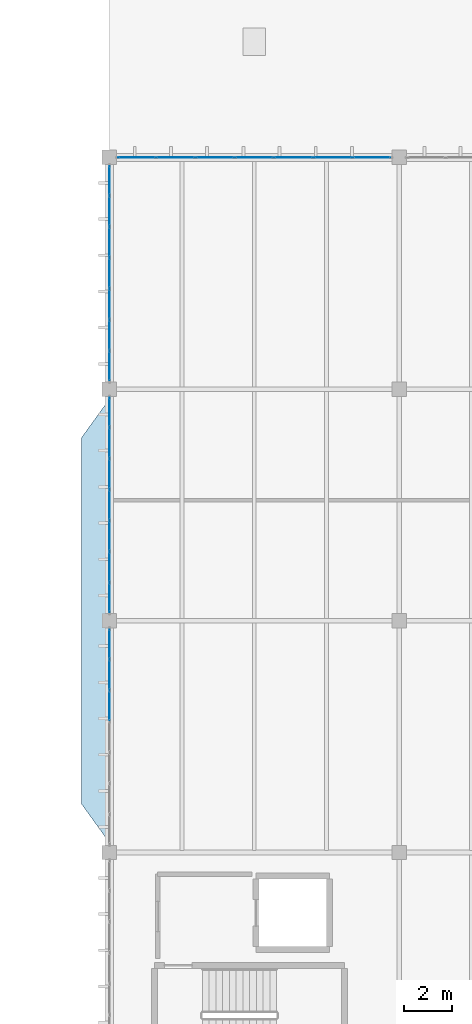
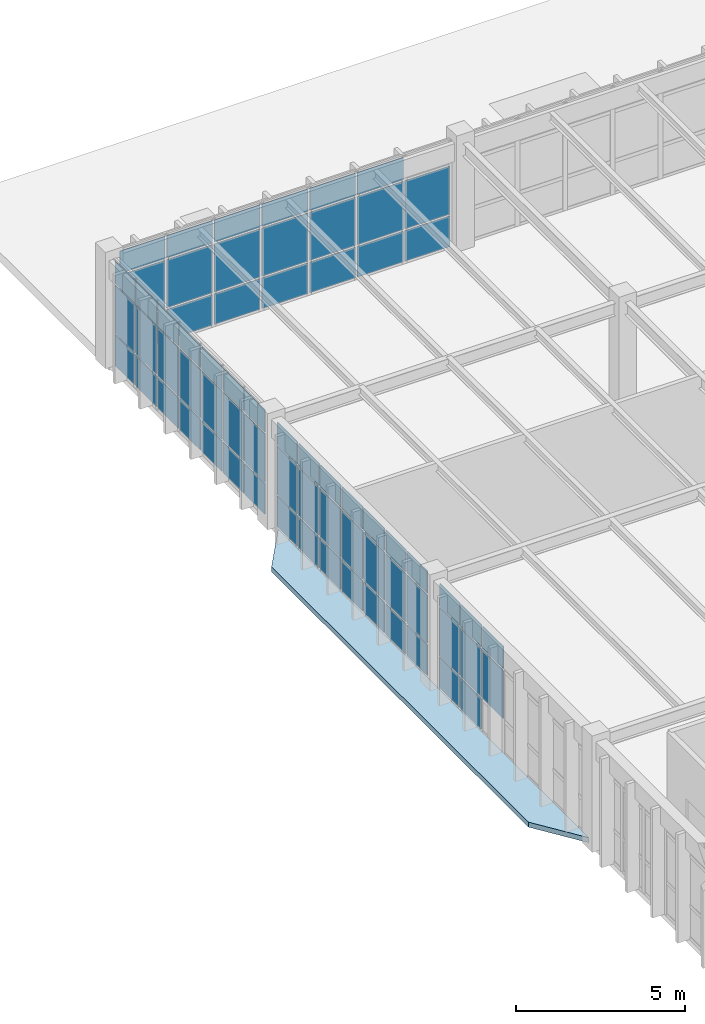
# One storey, part 66 of 83: 70 plates, 1 slab, 4 elements without a shape of their own.
"""IFC4 building model written with IfcOpenShell, lengths in metres."""

from ifc_helpers import new_model, si_unit, direction, frame, origin, origin_2d, place, context, subcontext, project, spatial, polyline, rectangle, outline, extrude, material, layer, layer_set, type_object, element, aggregate, save


model = new_model("IFC4")

# Units and contexts
model_context = context("Model", 3, precision=1e-05, world=origin(), true_north=direction((0.0, 1.0)))
body_context = subcontext(model_context, "Body", "Model", "MODEL_VIEW")
ifc_project = project(units=[si_unit("LENGTHUNIT", "METRE"), si_unit("AREAUNIT", "SQUARE_METRE"), si_unit("VOLUMEUNIT", "CUBIC_METRE"), si_unit("PLANEANGLEUNIT", "RADIAN"), si_unit("MASSUNIT", "GRAM", prefix="KILO")], contexts=[model_context])

# Site, building, storey
site_placement = place(None, origin())
site = spatial("IfcSite", under=ifc_project, at=site_placement, CompositionType="ELEMENT")
building_placement = place(site_placement, origin())
building = spatial("IfcBuilding", under=site, at=building_placement, Name="Pandanus Reach Market Hall", CompositionType="ELEMENT")
storey_placement = place(building_placement, frame((0.0, 0.0, 10.199951171875)))
storey = spatial("IfcBuildingStorey", under=building, at=storey_placement, Name="L02", CompositionType="ELEMENT", Elevation=10.199951171875)

# Curtain wall, plates
ifc_material_1 = material(Name="Bronze anodised aluminium and low-E glass", Category="aluminium")
ifc_layer_1 = layer(ifc_material_1, 0.159912109375, Name="CW-31")
ifc_layer_set_1 = layer_set([ifc_layer_1], Name="Bronze anodised aluminium and low-E glass")
curtain_wall_type_1 = type_object("IfcCurtainWallType", Name="CW-31", PredefinedType="NOTDEFINED", material=ifc_layer_set_1)
curtain_wall_1_placement = place(storey_placement, origin())
curtain_wall_1 = element("IfcCurtainWall", 1, at=curtain_wall_1_placement, inside=storey, type_object=curtain_wall_type_1, Name="Glazed curtain wall CW-31 CW-0102", PredefinedType="NOTDEFINED")
ifc_material_2 = material(Name="Solar-control double glazing", Category="glass")
ifc_layer_2 = layer(ifc_material_2, 0.028076171875, Name="CW-P1")
ifc_layer_set_2 = layer_set([ifc_layer_2], Name="Solar-control double glazing")
plate_type = type_object("IfcPlateType", Name="CW-P1", PredefinedType="CURTAIN_PANEL", material=ifc_layer_set_2)
plate_1_placement = place(storey_placement, frame((145.130615234375, 86.39990234375, 0.06494140625), z_axis=(0.0, 0.0, 1.0), x_axis=(1.0, 0.0, 0.0)))
plate_1 = element("IfcPlate", 2, at=plate_1_placement, type_object=plate_type, Name="CW-31 panel 1.1", PredefinedType="CURTAIN_PANEL", context=body_context, shape_type="SweptSolid", body=[
    extrude(rectangle(XDim=1.531005859375, YDim=0.028076171875, at=origin_2d()), origin(), (0.0, 0.0, 1.0), 1.1025390625),
])
plate_2_placement = place(storey_placement, frame((145.130615234375, 86.39990234375, 1.232421875), z_axis=(0.0, 0.0, 1.0), x_axis=(1.0, 0.0, 0.0)))
plate_2 = element("IfcPlate", 3, at=plate_2_placement, type_object=plate_type, Name="CW-31 panel 1.2", PredefinedType="CURTAIN_PANEL", context=body_context, shape_type="SweptSolid", body=[
    extrude(rectangle(XDim=1.531005859375, YDim=0.028076171875, at=origin_2d()), origin(), (0.0, 0.0, 1.0), 1.735107421875),
])
plate_3_placement = place(storey_placement, frame((145.130615234375, 86.39990234375, 3.03271484375), z_axis=(0.0, 0.0, 1.0), x_axis=(1.0, 0.0, 0.0)))
plate_3 = element("IfcPlate", 4, at=plate_3_placement, type_object=plate_type, Name="CW-31 panel 1.3", PredefinedType="CURTAIN_PANEL", context=body_context, shape_type="SweptSolid", body=[
    extrude(rectangle(XDim=1.531005859375, YDim=0.028076171875, at=origin_2d()), origin(), (0.0, 0.0, 1.0), 0.802490234375),
])
plate_4_placement = place(storey_placement, frame((146.742919921875, 86.39990234375, 0.06494140625), z_axis=(0.0, 0.0, 1.0), x_axis=(1.0, 0.0, 0.0)))
plate_4 = element("IfcPlate", 5, at=plate_4_placement, type_object=plate_type, Name="CW-31 panel 2.1", PredefinedType="CURTAIN_PANEL", context=body_context, shape_type="SweptSolid", body=[
    extrude(rectangle(XDim=1.5634765625, YDim=0.028076171875, at=origin_2d()), origin(), (0.0, 0.0, 1.0), 1.1025390625),
])
plate_5_placement = place(storey_placement, frame((146.742919921875, 86.39990234375, 1.232421875), z_axis=(0.0, 0.0, 1.0), x_axis=(1.0, 0.0, 0.0)))
plate_5 = element("IfcPlate", 6, at=plate_5_placement, type_object=plate_type, Name="CW-31 panel 2.2", PredefinedType="CURTAIN_PANEL", context=body_context, shape_type="SweptSolid", body=[
    extrude(rectangle(XDim=1.5634765625, YDim=0.028076171875, at=origin_2d()), origin(), (0.0, 0.0, 1.0), 1.735107421875),
])
plate_6_placement = place(storey_placement, frame((146.742919921875, 86.39990234375, 3.03271484375), z_axis=(0.0, 0.0, 1.0), x_axis=(1.0, 0.0, 0.0)))
plate_6 = element("IfcPlate", 7, at=plate_6_placement, type_object=plate_type, Name="CW-31 panel 2.3", PredefinedType="CURTAIN_PANEL", context=body_context, shape_type="SweptSolid", body=[
    extrude(rectangle(XDim=1.5634765625, YDim=0.028076171875, at=origin_2d()), origin(), (0.0, 0.0, 1.0), 0.802490234375),
])
plate_7_placement = place(storey_placement, frame((148.371337890625, 86.39990234375, 0.06494140625), z_axis=(0.0, 0.0, 1.0), x_axis=(1.0, 0.0, 0.0)))
plate_7 = element("IfcPlate", 8, at=plate_7_placement, type_object=plate_type, Name="CW-31 panel 3.1", PredefinedType="CURTAIN_PANEL", context=body_context, shape_type="SweptSolid", body=[
    extrude(rectangle(XDim=1.5634765625, YDim=0.028076171875, at=origin_2d()), origin(), (0.0, 0.0, 1.0), 1.1025390625),
])
plate_8_placement = place(storey_placement, frame((148.371337890625, 86.39990234375, 1.232421875), z_axis=(0.0, 0.0, 1.0), x_axis=(1.0, 0.0, 0.0)))
plate_8 = element("IfcPlate", 9, at=plate_8_placement, type_object=plate_type, Name="CW-31 panel 3.2", PredefinedType="CURTAIN_PANEL", context=body_context, shape_type="SweptSolid", body=[
    extrude(rectangle(XDim=1.5634765625, YDim=0.028076171875, at=origin_2d()), origin(), (0.0, 0.0, 1.0), 1.735107421875),
])
plate_9_placement = place(storey_placement, frame((148.371337890625, 86.39990234375, 3.03271484375), z_axis=(0.0, 0.0, 1.0), x_axis=(1.0, 0.0, 0.0)))
plate_9 = element("IfcPlate", 10, at=plate_9_placement, type_object=plate_type, Name="CW-31 panel 3.3", PredefinedType="CURTAIN_PANEL", context=body_context, shape_type="SweptSolid", body=[
    extrude(rectangle(XDim=1.5634765625, YDim=0.028076171875, at=origin_2d()), origin(), (0.0, 0.0, 1.0), 0.802490234375),
])
plate_10_placement = place(storey_placement, frame((150.0, 86.39990234375, 0.06494140625), z_axis=(0.0, 0.0, 1.0), x_axis=(1.0, 0.0, 0.0)))
plate_10 = element("IfcPlate", 11, at=plate_10_placement, type_object=plate_type, Name="CW-31 panel 4.1", PredefinedType="CURTAIN_PANEL", context=body_context, shape_type="SweptSolid", body=[
    extrude(rectangle(XDim=1.5634765625, YDim=0.028076171875, at=origin_2d()), origin(), (0.0, 0.0, 1.0), 1.1025390625),
])
plate_11_placement = place(storey_placement, frame((150.0, 86.39990234375, 1.232421875), z_axis=(0.0, 0.0, 1.0), x_axis=(1.0, 0.0, 0.0)))
plate_11 = element("IfcPlate", 12, at=plate_11_placement, type_object=plate_type, Name="CW-31 panel 4.2", PredefinedType="CURTAIN_PANEL", context=body_context, shape_type="SweptSolid", body=[
    extrude(rectangle(XDim=1.5634765625, YDim=0.028076171875, at=origin_2d()), origin(), (0.0, 0.0, 1.0), 1.735107421875),
])
plate_12_placement = place(storey_placement, frame((150.0, 86.39990234375, 3.03271484375), z_axis=(0.0, 0.0, 1.0), x_axis=(1.0, 0.0, 0.0)))
plate_12 = element("IfcPlate", 13, at=plate_12_placement, type_object=plate_type, Name="CW-31 panel 4.3", PredefinedType="CURTAIN_PANEL", context=body_context, shape_type="SweptSolid", body=[
    extrude(rectangle(XDim=1.5634765625, YDim=0.028076171875, at=origin_2d()), origin(), (0.0, 0.0, 1.0), 0.802490234375),
])
plate_13_placement = place(storey_placement, frame((151.628662109375, 86.39990234375, 0.06494140625), z_axis=(0.0, 0.0, 1.0), x_axis=(1.0, 0.0, 0.0)))
plate_13 = element("IfcPlate", 14, at=plate_13_placement, type_object=plate_type, Name="CW-31 panel 5.1", PredefinedType="CURTAIN_PANEL", context=body_context, shape_type="SweptSolid", body=[
    extrude(rectangle(XDim=1.5634765625, YDim=0.028076171875, at=origin_2d()), origin(), (0.0, 0.0, 1.0), 1.1025390625),
])
plate_14_placement = place(storey_placement, frame((151.628662109375, 86.39990234375, 1.232421875), z_axis=(0.0, 0.0, 1.0), x_axis=(1.0, 0.0, 0.0)))
plate_14 = element("IfcPlate", 15, at=plate_14_placement, type_object=plate_type, Name="CW-31 panel 5.2", PredefinedType="CURTAIN_PANEL", context=body_context, shape_type="SweptSolid", body=[
    extrude(rectangle(XDim=1.5634765625, YDim=0.028076171875, at=origin_2d()), origin(), (0.0, 0.0, 1.0), 1.735107421875),
])
plate_15_placement = place(storey_placement, frame((151.628662109375, 86.39990234375, 3.03271484375), z_axis=(0.0, 0.0, 1.0), x_axis=(1.0, 0.0, 0.0)))
plate_15 = element("IfcPlate", 16, at=plate_15_placement, type_object=plate_type, Name="CW-31 panel 5.3", PredefinedType="CURTAIN_PANEL", context=body_context, shape_type="SweptSolid", body=[
    extrude(rectangle(XDim=1.5634765625, YDim=0.028076171875, at=origin_2d()), origin(), (0.0, 0.0, 1.0), 0.802490234375),
])
plate_16_placement = place(storey_placement, frame((153.257080078125, 86.39990234375, 0.06494140625), z_axis=(0.0, 0.0, 1.0), x_axis=(1.0, 0.0, 0.0)))
plate_16 = element("IfcPlate", 17, at=plate_16_placement, type_object=plate_type, Name="CW-31 panel 6.1", PredefinedType="CURTAIN_PANEL", context=body_context, shape_type="SweptSolid", body=[
    extrude(rectangle(XDim=1.5634765625, YDim=0.028076171875, at=origin_2d()), origin(), (0.0, 0.0, 1.0), 1.1025390625),
])
plate_17_placement = place(storey_placement, frame((153.257080078125, 86.39990234375, 1.232421875), z_axis=(0.0, 0.0, 1.0), x_axis=(1.0, 0.0, 0.0)))
plate_17 = element("IfcPlate", 18, at=plate_17_placement, type_object=plate_type, Name="CW-31 panel 6.2", PredefinedType="CURTAIN_PANEL", context=body_context, shape_type="SweptSolid", body=[
    extrude(rectangle(XDim=1.5634765625, YDim=0.028076171875, at=origin_2d()), origin(), (0.0, 0.0, 1.0), 1.735107421875),
])
plate_18_placement = place(storey_placement, frame((153.257080078125, 86.39990234375, 3.03271484375), z_axis=(0.0, 0.0, 1.0), x_axis=(1.0, 0.0, 0.0)))
plate_18 = element("IfcPlate", 19, at=plate_18_placement, type_object=plate_type, Name="CW-31 panel 6.3", PredefinedType="CURTAIN_PANEL", context=body_context, shape_type="SweptSolid", body=[
    extrude(rectangle(XDim=1.5634765625, YDim=0.028076171875, at=origin_2d()), origin(), (0.0, 0.0, 1.0), 0.802490234375),
])
plate_19_placement = place(storey_placement, frame((154.869384765625, 86.39990234375, 0.06494140625), z_axis=(0.0, 0.0, 1.0), x_axis=(1.0, 0.0, 0.0)))
plate_19 = element("IfcPlate", 20, at=plate_19_placement, type_object=plate_type, Name="CW-31 panel 7.1", PredefinedType="CURTAIN_PANEL", context=body_context, shape_type="SweptSolid", body=[
    extrude(rectangle(XDim=1.531005859375, YDim=0.028076171875, at=origin_2d()), origin(), (0.0, 0.0, 1.0), 1.1025390625),
])
plate_20_placement = place(storey_placement, frame((154.869384765625, 86.39990234375, 1.232421875), z_axis=(0.0, 0.0, 1.0), x_axis=(1.0, 0.0, 0.0)))
plate_20 = element("IfcPlate", 21, at=plate_20_placement, type_object=plate_type, Name="CW-31 panel 7.2", PredefinedType="CURTAIN_PANEL", context=body_context, shape_type="SweptSolid", body=[
    extrude(rectangle(XDim=1.531005859375, YDim=0.028076171875, at=origin_2d()), origin(), (0.0, 0.0, 1.0), 1.735107421875),
])
aggregate(curtain_wall_1, [plate_1, plate_2, plate_3, plate_4, plate_5, plate_6, plate_7, plate_8, plate_9, plate_10, plate_11, plate_12, plate_13, plate_14, plate_15, plate_16, plate_17, plate_18, plate_19, plate_20])

ifc_layer_3 = layer(ifc_material_1, 0.159912109375, Name="CW-33")
ifc_layer_set_3 = layer_set([ifc_layer_3], Name="Bronze anodised aluminium and low-E glass")
curtain_wall_type_2 = type_object("IfcCurtainWallType", Name="CW-33", PredefinedType="NOTDEFINED", material=ifc_layer_set_3)
curtain_wall_2_placement = place(storey_placement, origin())
curtain_wall_2 = element("IfcCurtainWall", 22, at=curtain_wall_2_placement, inside=storey, type_object=curtain_wall_type_2, Name="Glazed curtain wall CW-33 CW-0113", PredefinedType="NOTDEFINED")
plate_21_placement = place(storey_placement, frame((144.0, 63.685791015625, 1.232421875), z_axis=(0.0, 0.0, 1.0), x_axis=(0.0, 1.0, 0.0)))
plate_21 = element("IfcPlate", 23, at=plate_21_placement, type_object=plate_type, Name="CW-33 panel 5.2", PredefinedType="CURTAIN_PANEL", context=body_context, shape_type="SweptSolid", body=[
    extrude(rectangle(XDim=1.220703125, YDim=0.028076171875, at=origin_2d()), origin(), (0.0, 0.0, 1.0), 1.735107421875),
])
plate_22_placement = place(storey_placement, frame((144.0, 63.685791015625, 3.03271484375), z_axis=(0.0, 0.0, 1.0), x_axis=(0.0, 1.0, 0.0)))
plate_22 = element("IfcPlate", 24, at=plate_22_placement, type_object=plate_type, Name="CW-33 panel 5.3", PredefinedType="CURTAIN_PANEL", context=body_context, shape_type="SweptSolid", body=[
    extrude(rectangle(XDim=1.220703125, YDim=0.028076171875, at=origin_2d()), origin(), (0.0, 0.0, 1.0), 0.802490234375),
])
plate_23_placement = place(storey_placement, frame((144.0, 64.971435546875, 0.06494140625), z_axis=(0.0, 0.0, 1.0), x_axis=(0.0, 1.0, 0.0)))
plate_23 = element("IfcPlate", 25, at=plate_23_placement, type_object=plate_type, Name="CW-33 panel 6.1", PredefinedType="CURTAIN_PANEL", context=body_context, shape_type="SweptSolid", body=[
    extrude(rectangle(XDim=1.220703125, YDim=0.028076171875, at=origin_2d()), origin(), (0.0, 0.0, 1.0), 1.1025390625),
])
plate_24_placement = place(storey_placement, frame((144.0, 64.971435546875, 1.232421875), z_axis=(0.0, 0.0, 1.0), x_axis=(0.0, 1.0, 0.0)))
plate_24 = element("IfcPlate", 26, at=plate_24_placement, type_object=plate_type, Name="CW-33 panel 6.2", PredefinedType="CURTAIN_PANEL", context=body_context, shape_type="SweptSolid", body=[
    extrude(rectangle(XDim=1.220703125, YDim=0.028076171875, at=origin_2d()), origin(), (0.0, 0.0, 1.0), 1.735107421875),
])
plate_25_placement = place(storey_placement, frame((144.0, 64.971435546875, 3.03271484375), z_axis=(0.0, 0.0, 1.0), x_axis=(0.0, 1.0, 0.0)))
plate_25 = element("IfcPlate", 27, at=plate_25_placement, type_object=plate_type, Name="CW-33 panel 6.3", PredefinedType="CURTAIN_PANEL", context=body_context, shape_type="SweptSolid", body=[
    extrude(rectangle(XDim=1.220703125, YDim=0.028076171875, at=origin_2d()), origin(), (0.0, 0.0, 1.0), 0.802490234375),
])
plate_26_placement = place(storey_placement, frame((144.0, 66.240966796875, 0.06494140625), z_axis=(0.0, 0.0, 1.0), x_axis=(0.0, 1.0, 0.0)))
plate_26 = element("IfcPlate", 28, at=plate_26_placement, type_object=plate_type, Name="CW-33 panel 7.1", PredefinedType="CURTAIN_PANEL", context=body_context, shape_type="SweptSolid", body=[
    extrude(rectangle(XDim=1.188232421875, YDim=0.028076171875, at=origin_2d()), origin(), (0.0, 0.0, 1.0), 1.1025390625),
])
plate_27_placement = place(storey_placement, frame((144.0, 66.240966796875, 1.232421875), z_axis=(0.0, 0.0, 1.0), x_axis=(0.0, 1.0, 0.0)))
plate_27 = element("IfcPlate", 29, at=plate_27_placement, type_object=plate_type, Name="CW-33 panel 7.2", PredefinedType="CURTAIN_PANEL", context=body_context, shape_type="SweptSolid", body=[
    extrude(rectangle(XDim=1.188232421875, YDim=0.028076171875, at=origin_2d()), origin(), (0.0, 0.0, 1.0), 1.735107421875),
])
plate_28_placement = place(storey_placement, frame((144.0, 66.240966796875, 3.03271484375), z_axis=(0.0, 0.0, 1.0), x_axis=(0.0, 1.0, 0.0)))
plate_28 = element("IfcPlate", 30, at=plate_28_placement, type_object=plate_type, Name="CW-33 panel 7.3", PredefinedType="CURTAIN_PANEL", context=body_context, shape_type="SweptSolid", body=[
    extrude(rectangle(XDim=1.188232421875, YDim=0.028076171875, at=origin_2d()), origin(), (0.0, 0.0, 1.0), 0.802490234375),
])
aggregate(curtain_wall_2, [plate_21, plate_22, plate_23, plate_24, plate_25, plate_26, plate_27, plate_28])

curtain_wall_3_placement = place(storey_placement, origin())
curtain_wall_3 = element("IfcCurtainWall", 31, at=curtain_wall_3_placement, inside=storey, type_object=curtain_wall_type_2, Name="Glazed curtain wall CW-33 CW-0114", PredefinedType="NOTDEFINED")
plate_29_placement = place(storey_placement, frame((144.0, 68.1591796875, 0.06494140625), z_axis=(0.0, 0.0, 1.0), x_axis=(0.0, 1.0, 0.0)))
plate_29 = element("IfcPlate", 32, at=plate_29_placement, type_object=plate_type, Name="CW-33 panel 1.1", PredefinedType="CURTAIN_PANEL", context=body_context, shape_type="SweptSolid", body=[
    extrude(rectangle(XDim=1.188232421875, YDim=0.028076171875, at=origin_2d()), origin(), (0.0, 0.0, 1.0), 1.1025390625),
])
plate_30_placement = place(storey_placement, frame((144.0, 68.1591796875, 1.232421875), z_axis=(0.0, 0.0, 1.0), x_axis=(0.0, 1.0, 0.0)))
plate_30 = element("IfcPlate", 33, at=plate_30_placement, type_object=plate_type, Name="CW-33 panel 1.2", PredefinedType="CURTAIN_PANEL", context=body_context, shape_type="SweptSolid", body=[
    extrude(rectangle(XDim=1.188232421875, YDim=0.028076171875, at=origin_2d()), origin(), (0.0, 0.0, 1.0), 1.735107421875),
])
plate_31_placement = place(storey_placement, frame((144.0, 68.1591796875, 3.03271484375), z_axis=(0.0, 0.0, 1.0), x_axis=(0.0, 1.0, 0.0)))
plate_31 = element("IfcPlate", 34, at=plate_31_placement, type_object=plate_type, Name="CW-33 panel 1.3", PredefinedType="CURTAIN_PANEL", context=body_context, shape_type="SweptSolid", body=[
    extrude(rectangle(XDim=1.188232421875, YDim=0.028076171875, at=origin_2d()), origin(), (0.0, 0.0, 1.0), 0.802490234375),
])
plate_32_placement = place(storey_placement, frame((144.0, 69.428466796875, 0.06494140625), z_axis=(0.0, 0.0, 1.0), x_axis=(0.0, 1.0, 0.0)))
plate_32 = element("IfcPlate", 35, at=plate_32_placement, type_object=plate_type, Name="CW-33 panel 2.1", PredefinedType="CURTAIN_PANEL", context=body_context, shape_type="SweptSolid", body=[
    extrude(rectangle(XDim=1.220703125, YDim=0.028076171875, at=origin_2d()), origin(), (0.0, 0.0, 1.0), 1.1025390625),
])
plate_33_placement = place(storey_placement, frame((144.0, 69.428466796875, 1.232421875), z_axis=(0.0, 0.0, 1.0), x_axis=(0.0, 1.0, 0.0)))
plate_33 = element("IfcPlate", 36, at=plate_33_placement, type_object=plate_type, Name="CW-33 panel 2.2", PredefinedType="CURTAIN_PANEL", context=body_context, shape_type="SweptSolid", body=[
    extrude(rectangle(XDim=1.220703125, YDim=0.028076171875, at=origin_2d()), origin(), (0.0, 0.0, 1.0), 1.735107421875),
])
plate_34_placement = place(storey_placement, frame((144.0, 69.428466796875, 3.03271484375), z_axis=(0.0, 0.0, 1.0), x_axis=(0.0, 1.0, 0.0)))
plate_34 = element("IfcPlate", 37, at=plate_34_placement, type_object=plate_type, Name="CW-33 panel 2.3", PredefinedType="CURTAIN_PANEL", context=body_context, shape_type="SweptSolid", body=[
    extrude(rectangle(XDim=1.220703125, YDim=0.028076171875, at=origin_2d()), origin(), (0.0, 0.0, 1.0), 0.802490234375),
])
plate_35_placement = place(storey_placement, frame((144.0, 70.71435546875, 0.06494140625), z_axis=(0.0, 0.0, 1.0), x_axis=(0.0, 1.0, 0.0)))
plate_35 = element("IfcPlate", 38, at=plate_35_placement, type_object=plate_type, Name="CW-33 panel 3.1", PredefinedType="CURTAIN_PANEL", context=body_context, shape_type="SweptSolid", body=[
    extrude(rectangle(XDim=1.220703125, YDim=0.028076171875, at=origin_2d()), origin(), (0.0, 0.0, 1.0), 1.1025390625),
])
plate_36_placement = place(storey_placement, frame((144.0, 70.71435546875, 1.232421875), z_axis=(0.0, 0.0, 1.0), x_axis=(0.0, 1.0, 0.0)))
plate_36 = element("IfcPlate", 39, at=plate_36_placement, type_object=plate_type, Name="CW-33 panel 3.2", PredefinedType="CURTAIN_PANEL", context=body_context, shape_type="SweptSolid", body=[
    extrude(rectangle(XDim=1.220703125, YDim=0.028076171875, at=origin_2d()), origin(), (0.0, 0.0, 1.0), 1.735107421875),
])
plate_37_placement = place(storey_placement, frame((144.0, 70.71435546875, 3.03271484375), z_axis=(0.0, 0.0, 1.0), x_axis=(0.0, 1.0, 0.0)))
plate_37 = element("IfcPlate", 40, at=plate_37_placement, type_object=plate_type, Name="CW-33 panel 3.3", PredefinedType="CURTAIN_PANEL", context=body_context, shape_type="SweptSolid", body=[
    extrude(rectangle(XDim=1.220703125, YDim=0.028076171875, at=origin_2d()), origin(), (0.0, 0.0, 1.0), 0.802490234375),
])
plate_38_placement = place(storey_placement, frame((144.0, 72.0, 0.06494140625), z_axis=(0.0, 0.0, 1.0), x_axis=(0.0, 1.0, 0.0)))
plate_38 = element("IfcPlate", 41, at=plate_38_placement, type_object=plate_type, Name="CW-33 panel 4.1", PredefinedType="CURTAIN_PANEL", context=body_context, shape_type="SweptSolid", body=[
    extrude(rectangle(XDim=1.220703125, YDim=0.028076171875, at=origin_2d()), origin(), (0.0, 0.0, 1.0), 1.1025390625),
])
plate_39_placement = place(storey_placement, frame((144.0, 72.0, 1.232421875), z_axis=(0.0, 0.0, 1.0), x_axis=(0.0, 1.0, 0.0)))
plate_39 = element("IfcPlate", 42, at=plate_39_placement, type_object=plate_type, Name="CW-33 panel 4.2", PredefinedType="CURTAIN_PANEL", context=body_context, shape_type="SweptSolid", body=[
    extrude(rectangle(XDim=1.220703125, YDim=0.028076171875, at=origin_2d()), origin(), (0.0, 0.0, 1.0), 1.735107421875),
])
plate_40_placement = place(storey_placement, frame((144.0, 72.0, 3.03271484375), z_axis=(0.0, 0.0, 1.0), x_axis=(0.0, 1.0, 0.0)))
plate_40 = element("IfcPlate", 43, at=plate_40_placement, type_object=plate_type, Name="CW-33 panel 4.3", PredefinedType="CURTAIN_PANEL", context=body_context, shape_type="SweptSolid", body=[
    extrude(rectangle(XDim=1.220703125, YDim=0.028076171875, at=origin_2d()), origin(), (0.0, 0.0, 1.0), 0.802490234375),
])
plate_41_placement = place(storey_placement, frame((144.0, 73.28564453125, 0.06494140625), z_axis=(0.0, 0.0, 1.0), x_axis=(0.0, 1.0, 0.0)))
plate_41 = element("IfcPlate", 44, at=plate_41_placement, type_object=plate_type, Name="CW-33 panel 5.1", PredefinedType="CURTAIN_PANEL", context=body_context, shape_type="SweptSolid", body=[
    extrude(rectangle(XDim=1.220703125, YDim=0.028076171875, at=origin_2d()), origin(), (0.0, 0.0, 1.0), 1.1025390625),
])
plate_42_placement = place(storey_placement, frame((144.0, 73.28564453125, 1.232421875), z_axis=(0.0, 0.0, 1.0), x_axis=(0.0, 1.0, 0.0)))
plate_42 = element("IfcPlate", 45, at=plate_42_placement, type_object=plate_type, Name="CW-33 panel 5.2", PredefinedType="CURTAIN_PANEL", context=body_context, shape_type="SweptSolid", body=[
    extrude(rectangle(XDim=1.220703125, YDim=0.028076171875, at=origin_2d()), origin(), (0.0, 0.0, 1.0), 1.735107421875),
])
plate_43_placement = place(storey_placement, frame((144.0, 73.28564453125, 3.03271484375), z_axis=(0.0, 0.0, 1.0), x_axis=(0.0, 1.0, 0.0)))
plate_43 = element("IfcPlate", 46, at=plate_43_placement, type_object=plate_type, Name="CW-33 panel 5.3", PredefinedType="CURTAIN_PANEL", context=body_context, shape_type="SweptSolid", body=[
    extrude(rectangle(XDim=1.220703125, YDim=0.028076171875, at=origin_2d()), origin(), (0.0, 0.0, 1.0), 0.802490234375),
])
plate_44_placement = place(storey_placement, frame((144.0, 74.571533203125, 0.06494140625), z_axis=(0.0, 0.0, 1.0), x_axis=(0.0, 1.0, 0.0)))
plate_44 = element("IfcPlate", 47, at=plate_44_placement, type_object=plate_type, Name="CW-33 panel 6.1", PredefinedType="CURTAIN_PANEL", context=body_context, shape_type="SweptSolid", body=[
    extrude(rectangle(XDim=1.220703125, YDim=0.028076171875, at=origin_2d()), origin(), (0.0, 0.0, 1.0), 1.1025390625),
])
plate_45_placement = place(storey_placement, frame((144.0, 74.571533203125, 1.232421875), z_axis=(0.0, 0.0, 1.0), x_axis=(0.0, 1.0, 0.0)))
plate_45 = element("IfcPlate", 48, at=plate_45_placement, type_object=plate_type, Name="CW-33 panel 6.2", PredefinedType="CURTAIN_PANEL", context=body_context, shape_type="SweptSolid", body=[
    extrude(rectangle(XDim=1.220703125, YDim=0.028076171875, at=origin_2d()), origin(), (0.0, 0.0, 1.0), 1.735107421875),
])
plate_46_placement = place(storey_placement, frame((144.0, 74.571533203125, 3.03271484375), z_axis=(0.0, 0.0, 1.0), x_axis=(0.0, 1.0, 0.0)))
plate_46 = element("IfcPlate", 49, at=plate_46_placement, type_object=plate_type, Name="CW-33 panel 6.3", PredefinedType="CURTAIN_PANEL", context=body_context, shape_type="SweptSolid", body=[
    extrude(rectangle(XDim=1.220703125, YDim=0.028076171875, at=origin_2d()), origin(), (0.0, 0.0, 1.0), 0.802490234375),
])
plate_47_placement = place(storey_placement, frame((144.0, 75.8408203125, 0.06494140625), z_axis=(0.0, 0.0, 1.0), x_axis=(0.0, 1.0, 0.0)))
plate_47 = element("IfcPlate", 50, at=plate_47_placement, type_object=plate_type, Name="CW-33 panel 7.1", PredefinedType="CURTAIN_PANEL", context=body_context, shape_type="SweptSolid", body=[
    extrude(rectangle(XDim=1.188232421875, YDim=0.028076171875, at=origin_2d()), origin(), (0.0, 0.0, 1.0), 1.1025390625),
])
plate_48_placement = place(storey_placement, frame((144.0, 75.8408203125, 1.232421875), z_axis=(0.0, 0.0, 1.0), x_axis=(0.0, 1.0, 0.0)))
plate_48 = element("IfcPlate", 51, at=plate_48_placement, type_object=plate_type, Name="CW-33 panel 7.2", PredefinedType="CURTAIN_PANEL", context=body_context, shape_type="SweptSolid", body=[
    extrude(rectangle(XDim=1.188232421875, YDim=0.028076171875, at=origin_2d()), origin(), (0.0, 0.0, 1.0), 1.735107421875),
])
plate_49_placement = place(storey_placement, frame((144.0, 75.8408203125, 3.03271484375), z_axis=(0.0, 0.0, 1.0), x_axis=(0.0, 1.0, 0.0)))
plate_49 = element("IfcPlate", 52, at=plate_49_placement, type_object=plate_type, Name="CW-33 panel 7.3", PredefinedType="CURTAIN_PANEL", context=body_context, shape_type="SweptSolid", body=[
    extrude(rectangle(XDim=1.188232421875, YDim=0.028076171875, at=origin_2d()), origin(), (0.0, 0.0, 1.0), 0.802490234375),
])
aggregate(curtain_wall_3, [plate_29, plate_30, plate_31, plate_32, plate_33, plate_34, plate_35, plate_36, plate_37, plate_38, plate_39, plate_40, plate_41, plate_42, plate_43, plate_44, plate_45, plate_46, plate_47, plate_48, plate_49])

curtain_wall_4_placement = place(storey_placement, origin())
curtain_wall_4 = element("IfcCurtainWall", 53, at=curtain_wall_4_placement, inside=storey, type_object=curtain_wall_type_2, Name="Glazed curtain wall CW-33 CW-0115", PredefinedType="NOTDEFINED")
plate_50_placement = place(storey_placement, frame((144.0, 77.759033203125, 0.06494140625), z_axis=(0.0, 0.0, 1.0), x_axis=(0.0, 1.0, 0.0)))
plate_50 = element("IfcPlate", 54, at=plate_50_placement, type_object=plate_type, Name="CW-33 panel 1.1", PredefinedType="CURTAIN_PANEL", context=body_context, shape_type="SweptSolid", body=[
    extrude(rectangle(XDim=1.188232421875, YDim=0.028076171875, at=origin_2d()), origin(), (0.0, 0.0, 1.0), 1.1025390625),
])
plate_51_placement = place(storey_placement, frame((144.0, 77.759033203125, 1.232421875), z_axis=(0.0, 0.0, 1.0), x_axis=(0.0, 1.0, 0.0)))
plate_51 = element("IfcPlate", 55, at=plate_51_placement, type_object=plate_type, Name="CW-33 panel 1.2", PredefinedType="CURTAIN_PANEL", context=body_context, shape_type="SweptSolid", body=[
    extrude(rectangle(XDim=1.188232421875, YDim=0.028076171875, at=origin_2d()), origin(), (0.0, 0.0, 1.0), 1.735107421875),
])
plate_52_placement = place(storey_placement, frame((144.0, 77.759033203125, 3.03271484375), z_axis=(0.0, 0.0, 1.0), x_axis=(0.0, 1.0, 0.0)))
plate_52 = element("IfcPlate", 56, at=plate_52_placement, type_object=plate_type, Name="CW-33 panel 1.3", PredefinedType="CURTAIN_PANEL", context=body_context, shape_type="SweptSolid", body=[
    extrude(rectangle(XDim=1.188232421875, YDim=0.028076171875, at=origin_2d()), origin(), (0.0, 0.0, 1.0), 0.802490234375),
])
plate_53_placement = place(storey_placement, frame((144.0, 79.028564453125, 0.06494140625), z_axis=(0.0, 0.0, 1.0), x_axis=(0.0, 1.0, 0.0)))
plate_53 = element("IfcPlate", 57, at=plate_53_placement, type_object=plate_type, Name="CW-33 panel 2.1", PredefinedType="CURTAIN_PANEL", context=body_context, shape_type="SweptSolid", body=[
    extrude(rectangle(XDim=1.220703125, YDim=0.028076171875, at=origin_2d()), origin(), (0.0, 0.0, 1.0), 1.1025390625),
])
plate_54_placement = place(storey_placement, frame((144.0, 79.028564453125, 1.232421875), z_axis=(0.0, 0.0, 1.0), x_axis=(0.0, 1.0, 0.0)))
plate_54 = element("IfcPlate", 58, at=plate_54_placement, type_object=plate_type, Name="CW-33 panel 2.2", PredefinedType="CURTAIN_PANEL", context=body_context, shape_type="SweptSolid", body=[
    extrude(rectangle(XDim=1.220703125, YDim=0.028076171875, at=origin_2d()), origin(), (0.0, 0.0, 1.0), 1.735107421875),
])
plate_55_placement = place(storey_placement, frame((144.0, 79.028564453125, 3.03271484375), z_axis=(0.0, 0.0, 1.0), x_axis=(0.0, 1.0, 0.0)))
plate_55 = element("IfcPlate", 59, at=plate_55_placement, type_object=plate_type, Name="CW-33 panel 2.3", PredefinedType="CURTAIN_PANEL", context=body_context, shape_type="SweptSolid", body=[
    extrude(rectangle(XDim=1.220703125, YDim=0.028076171875, at=origin_2d()), origin(), (0.0, 0.0, 1.0), 0.802490234375),
])
plate_56_placement = place(storey_placement, frame((144.0, 80.314208984375, 0.06494140625), z_axis=(0.0, 0.0, 1.0), x_axis=(0.0, 1.0, 0.0)))
plate_56 = element("IfcPlate", 60, at=plate_56_placement, type_object=plate_type, Name="CW-33 panel 3.1", PredefinedType="CURTAIN_PANEL", context=body_context, shape_type="SweptSolid", body=[
    extrude(rectangle(XDim=1.220703125, YDim=0.028076171875, at=origin_2d()), origin(), (0.0, 0.0, 1.0), 1.1025390625),
])
plate_57_placement = place(storey_placement, frame((144.0, 80.314208984375, 1.232421875), z_axis=(0.0, 0.0, 1.0), x_axis=(0.0, 1.0, 0.0)))
plate_57 = element("IfcPlate", 61, at=plate_57_placement, type_object=plate_type, Name="CW-33 panel 3.2", PredefinedType="CURTAIN_PANEL", context=body_context, shape_type="SweptSolid", body=[
    extrude(rectangle(XDim=1.220703125, YDim=0.028076171875, at=origin_2d()), origin(), (0.0, 0.0, 1.0), 1.735107421875),
])
plate_58_placement = place(storey_placement, frame((144.0, 80.314208984375, 3.03271484375), z_axis=(0.0, 0.0, 1.0), x_axis=(0.0, 1.0, 0.0)))
plate_58 = element("IfcPlate", 62, at=plate_58_placement, type_object=plate_type, Name="CW-33 panel 3.3", PredefinedType="CURTAIN_PANEL", context=body_context, shape_type="SweptSolid", body=[
    extrude(rectangle(XDim=1.220703125, YDim=0.028076171875, at=origin_2d()), origin(), (0.0, 0.0, 1.0), 0.802490234375),
])
plate_59_placement = place(storey_placement, frame((144.0, 81.60009765625, 0.06494140625), z_axis=(0.0, 0.0, 1.0), x_axis=(0.0, 1.0, 0.0)))
plate_59 = element("IfcPlate", 63, at=plate_59_placement, type_object=plate_type, Name="CW-33 panel 4.1", PredefinedType="CURTAIN_PANEL", context=body_context, shape_type="SweptSolid", body=[
    extrude(rectangle(XDim=1.220703125, YDim=0.028076171875, at=origin_2d()), origin(), (0.0, 0.0, 1.0), 1.1025390625),
])
plate_60_placement = place(storey_placement, frame((144.0, 81.60009765625, 1.232421875), z_axis=(0.0, 0.0, 1.0), x_axis=(0.0, 1.0, 0.0)))
plate_60 = element("IfcPlate", 64, at=plate_60_placement, type_object=plate_type, Name="CW-33 panel 4.2", PredefinedType="CURTAIN_PANEL", context=body_context, shape_type="SweptSolid", body=[
    extrude(rectangle(XDim=1.220703125, YDim=0.028076171875, at=origin_2d()), origin(), (0.0, 0.0, 1.0), 1.735107421875),
])
plate_61_placement = place(storey_placement, frame((144.0, 81.60009765625, 3.03271484375), z_axis=(0.0, 0.0, 1.0), x_axis=(0.0, 1.0, 0.0)))
plate_61 = element("IfcPlate", 65, at=plate_61_placement, type_object=plate_type, Name="CW-33 panel 4.3", PredefinedType="CURTAIN_PANEL", context=body_context, shape_type="SweptSolid", body=[
    extrude(rectangle(XDim=1.220703125, YDim=0.028076171875, at=origin_2d()), origin(), (0.0, 0.0, 1.0), 0.802490234375),
])
plate_62_placement = place(storey_placement, frame((144.0, 82.8857421875, 0.06494140625), z_axis=(0.0, 0.0, 1.0), x_axis=(0.0, 1.0, 0.0)))
plate_62 = element("IfcPlate", 66, at=plate_62_placement, type_object=plate_type, Name="CW-33 panel 5.1", PredefinedType="CURTAIN_PANEL", context=body_context, shape_type="SweptSolid", body=[
    extrude(rectangle(XDim=1.220703125, YDim=0.028076171875, at=origin_2d()), origin(), (0.0, 0.0, 1.0), 1.1025390625),
])
plate_63_placement = place(storey_placement, frame((144.0, 82.8857421875, 1.232421875), z_axis=(0.0, 0.0, 1.0), x_axis=(0.0, 1.0, 0.0)))
plate_63 = element("IfcPlate", 67, at=plate_63_placement, type_object=plate_type, Name="CW-33 panel 5.2", PredefinedType="CURTAIN_PANEL", context=body_context, shape_type="SweptSolid", body=[
    extrude(rectangle(XDim=1.220703125, YDim=0.028076171875, at=origin_2d()), origin(), (0.0, 0.0, 1.0), 1.735107421875),
])
plate_64_placement = place(storey_placement, frame((144.0, 82.8857421875, 3.03271484375), z_axis=(0.0, 0.0, 1.0), x_axis=(0.0, 1.0, 0.0)))
plate_64 = element("IfcPlate", 68, at=plate_64_placement, type_object=plate_type, Name="CW-33 panel 5.3", PredefinedType="CURTAIN_PANEL", context=body_context, shape_type="SweptSolid", body=[
    extrude(rectangle(XDim=1.220703125, YDim=0.028076171875, at=origin_2d()), origin(), (0.0, 0.0, 1.0), 0.802490234375),
])
plate_65_placement = place(storey_placement, frame((144.0, 84.17138671875, 0.06494140625), z_axis=(0.0, 0.0, 1.0), x_axis=(0.0, 1.0, 0.0)))
plate_65 = element("IfcPlate", 69, at=plate_65_placement, type_object=plate_type, Name="CW-33 panel 6.1", PredefinedType="CURTAIN_PANEL", context=body_context, shape_type="SweptSolid", body=[
    extrude(rectangle(XDim=1.220703125, YDim=0.028076171875, at=origin_2d()), origin(), (0.0, 0.0, 1.0), 1.1025390625),
])
plate_66_placement = place(storey_placement, frame((144.0, 84.17138671875, 1.232421875), z_axis=(0.0, 0.0, 1.0), x_axis=(0.0, 1.0, 0.0)))
plate_66 = element("IfcPlate", 70, at=plate_66_placement, type_object=plate_type, Name="CW-33 panel 6.2", PredefinedType="CURTAIN_PANEL", context=body_context, shape_type="SweptSolid", body=[
    extrude(rectangle(XDim=1.220703125, YDim=0.028076171875, at=origin_2d()), origin(), (0.0, 0.0, 1.0), 1.735107421875),
])
plate_67_placement = place(storey_placement, frame((144.0, 84.17138671875, 3.03271484375), z_axis=(0.0, 0.0, 1.0), x_axis=(0.0, 1.0, 0.0)))
plate_67 = element("IfcPlate", 71, at=plate_67_placement, type_object=plate_type, Name="CW-33 panel 6.3", PredefinedType="CURTAIN_PANEL", context=body_context, shape_type="SweptSolid", body=[
    extrude(rectangle(XDim=1.220703125, YDim=0.028076171875, at=origin_2d()), origin(), (0.0, 0.0, 1.0), 0.802490234375),
])
plate_68_placement = place(storey_placement, frame((144.0, 85.44091796875, 0.06494140625), z_axis=(0.0, 0.0, 1.0), x_axis=(0.0, 1.0, 0.0)))
plate_68 = element("IfcPlate", 72, at=plate_68_placement, type_object=plate_type, Name="CW-33 panel 7.1", PredefinedType="CURTAIN_PANEL", context=body_context, shape_type="SweptSolid", body=[
    extrude(rectangle(XDim=1.188232421875, YDim=0.028076171875, at=origin_2d()), origin(), (0.0, 0.0, 1.0), 1.1025390625),
])
plate_69_placement = place(storey_placement, frame((144.0, 85.44091796875, 1.232421875), z_axis=(0.0, 0.0, 1.0), x_axis=(0.0, 1.0, 0.0)))
plate_69 = element("IfcPlate", 73, at=plate_69_placement, type_object=plate_type, Name="CW-33 panel 7.2", PredefinedType="CURTAIN_PANEL", context=body_context, shape_type="SweptSolid", body=[
    extrude(rectangle(XDim=1.188232421875, YDim=0.028076171875, at=origin_2d()), origin(), (0.0, 0.0, 1.0), 1.735107421875),
])
plate_70_placement = place(storey_placement, frame((144.0, 85.44091796875, 3.03271484375), z_axis=(0.0, 0.0, 1.0), x_axis=(0.0, 1.0, 0.0)))
plate_70 = element("IfcPlate", 74, at=plate_70_placement, type_object=plate_type, Name="CW-33 panel 7.3", PredefinedType="CURTAIN_PANEL", context=body_context, shape_type="SweptSolid", body=[
    extrude(rectangle(XDim=1.188232421875, YDim=0.028076171875, at=origin_2d()), origin(), (0.0, 0.0, 1.0), 0.802490234375),
])
aggregate(curtain_wall_4, [plate_50, plate_51, plate_52, plate_53, plate_54, plate_55, plate_56, plate_57, plate_58, plate_59, plate_60, plate_61, plate_62, plate_63, plate_64, plate_65, plate_66, plate_67, plate_68, plate_69, plate_70])

# Slab
ifc_material_3 = material(Name="Concrete N50 (50 MPa)", Category="concrete")
ifc_layer_4 = layer(ifc_material_3, 0.179931640625, Name="RF-CNP-180")
ifc_layer_set_4 = layer_set([ifc_layer_4], Name="Concrete N50 (50 MPa)")
slab_type = type_object("IfcSlabType", Name="RF-CNP-180", PredefinedType="ROOF", material=ifc_layer_set_4)
slab_placement = place(storey_placement, frame((0.0, 0.0, -0.179931640625)))
element("IfcSlab", 75, at=slab_placement, inside=storey, type_object=slab_type, Name="Sculpted concrete brise-soleil hood 21", PredefinedType="ROOF", context=body_context, shape_type="SweptSolid", body=[
    extrude(outline(polyline([(144.0, 58.0), (144.0, 76.39990234375), (142.85009765625, 74.800048828125), (142.85009765625, 59.60009765625), (144.0, 58.0)])), origin(), (0.0, 0.0, 1.0), 0.179931640625),
])

save(model, "model.ifc")
